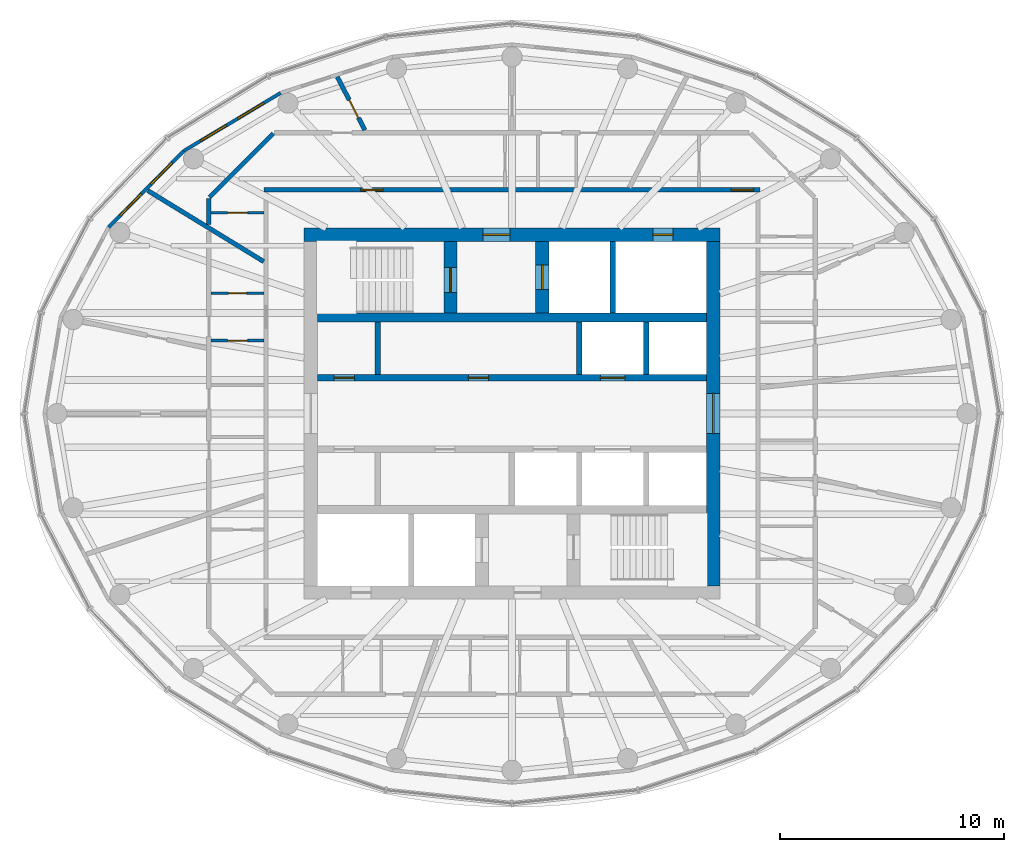
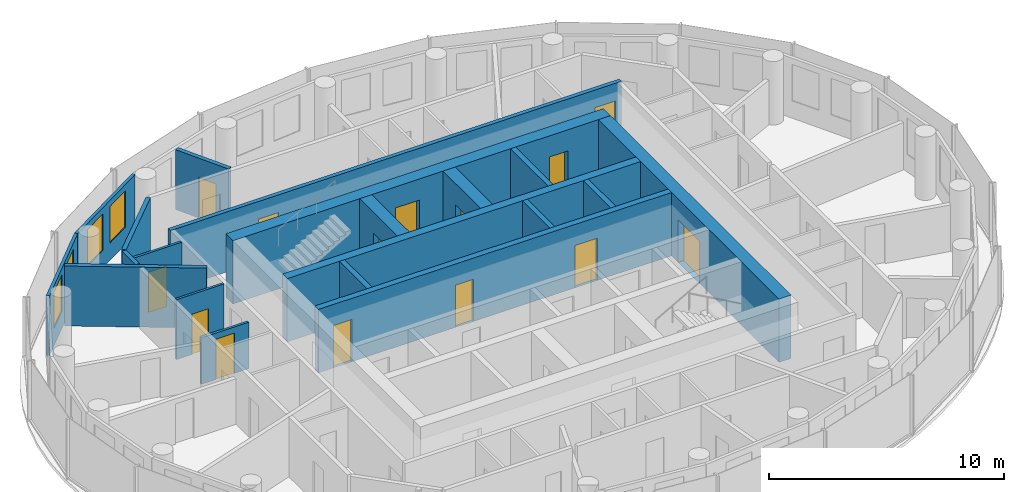
# One storey, part 7 of 11: 20 walls, 14 doors, 4 windows, 18 openings.
"""IFC4 building model written with IfcOpenShell, lengths in metres."""

from ifc_helpers import new_model, si_unit, direction, frame, frame_2d, origin, place, context, subcontext, project, spatial, rectangle, extrude, material, layer, layer_set, type_object, element, fill, save


model = new_model("IFC4")

# Units and contexts
model_context = context("Model", 3, precision=1e-05, world=origin(), true_north=direction((0.0, 1.0)))
body_context = subcontext(model_context, "Body", "Model", "MODEL_VIEW")
ifc_project = project(units=[si_unit("LENGTHUNIT", "METRE"), si_unit("AREAUNIT", "SQUARE_METRE"), si_unit("VOLUMEUNIT", "CUBIC_METRE"), si_unit("PLANEANGLEUNIT", "RADIAN"), si_unit("MASSUNIT", "GRAM", prefix="KILO")], contexts=[model_context])

# Site, building, storey
site_placement = place(None, origin())
site = spatial("IfcSite", under=ifc_project, at=site_placement, CompositionType="ELEMENT")
building_placement = place(site_placement, origin())
building = spatial("IfcBuilding", under=site, at=building_placement, Name="Hankou Lantern Tower", CompositionType="ELEMENT")
storey_placement = place(building_placement, frame((0.0, 0.0, 206.10009765625)))
storey = spatial("IfcBuildingStorey", under=building, at=storey_placement, Name="L55", CompositionType="ELEMENT", Elevation=206.10009765625)

# Wall, openings, doors
ifc_material_1 = material(Name="Concrete C60", Category="concrete")
ifc_layer_1 = layer(ifc_material_1, 0.60009765625)
ifc_layer_set_1 = layer_set([ifc_layer_1], Name="Concrete C60")
wall_type_1 = type_object("IfcWallType", Name="CW3 CORE WALL 600", PredefinedType="SHEAR", material=ifc_layer_set_1)
wall_1_placement = place(storey_placement, frame((-9.300048828125, 8.0, 0.0), z_axis=(0.0, 0.0, 1.0), x_axis=(1.0, 0.0, 0.0)))
wall_1 = element("IfcWall", 1, at=wall_1_placement, inside=storey, type_object=wall_type_1, Name="Core wall north L55", PredefinedType="SHEAR", context=body_context, shape_type="SweptSolid", body=[
    extrude(rectangle(XDim=18.60009765625, YDim=0.60009765625, at=frame_2d((9.300048828125, 0.0))), origin(), (0.0, 0.0, 1.0), 3.2998046875),
])
opening_1_placement = place(wall_1_placement, frame((8.0, 0.0, 0.0)))
opening_1 = element("IfcOpeningElement", 2, at=opening_1_placement, cuts=wall_1, Name="Opening D5", PredefinedType="OPENING", context=body_context, shape_type="SweptSolid", body=[
    extrude(rectangle(XDim=1.199951171875, YDim=2.199951171875, at=frame_2d((0.60009765625, 1.10009765625))), frame((0.0, 0.31005859375, 0.0), z_axis=(0.0, -1.0, 0.0), x_axis=(1.0, 0.0, 0.0)), (0.0, 0.0, 1.0), 0.6201171875),
])
opening_2_placement = place(wall_1_placement, frame((15.60009765625, 0.0, 0.0)))
opening_2 = element("IfcOpeningElement", 3, at=opening_2_placement, cuts=wall_1, Name="Opening D7", PredefinedType="OPENING", context=body_context, shape_type="SweptSolid", body=[
    extrude(rectangle(XDim=0.89990234375, YDim=2.199951171875, at=frame_2d((0.449951171875, 1.10009765625))), frame((0.0, 0.31005859375, 0.0), z_axis=(0.0, -1.0, 0.0), x_axis=(1.0, 0.0, 0.0)), (0.0, 0.0, 1.0), 0.6201171875),
])
ifc_material_2 = material(Name="Steel door leaf", Category="steel")
door_type_1 = type_object("IfcDoorType", Name="D5 STAIR LOBBY DOOR 1200X2200", OperationType="SINGLE_SWING_LEFT", PredefinedType="DOOR", material=ifc_material_2)
door_1_placement = place(opening_1_placement, origin())
door_1 = element("IfcDoor", 4, at=door_1_placement, inside=storey, type_object=door_type_1, Name="Stair A lobby door", OperationType="SINGLE_SWING_LEFT", OverallHeight=2.199951171875, OverallWidth=1.199951171875, PredefinedType="DOOR", context=body_context, shape_type="SweptSolid", body=[
    extrude(rectangle(XDim=1.199951171875, YDim=2.199951171875, at=frame_2d((0.60009765625, 1.10009765625))), frame((0.0, 0.02490234375, 0.0), z_axis=(0.0, -1.0, 0.0), x_axis=(1.0, 0.0, 0.0)), (0.0, 0.0, 1.0), 0.050048828125),
])
fill(opening_1, door_1)
ifc_material_3 = material(Name="Steel door leaf", Category="steel")
door_type_2 = type_object("IfcDoorType", Name="D7 RISER DOOR 900X2200", OperationType="SINGLE_SWING_LEFT", PredefinedType="DOOR", material=ifc_material_3)
door_2_placement = place(opening_2_placement, origin())
door_2 = element("IfcDoor", 5, at=door_2_placement, inside=storey, type_object=door_type_2, Name="Riser N1 door", OperationType="SINGLE_SWING_RIGHT", OverallHeight=2.199951171875, OverallWidth=0.89990234375, PredefinedType="DOOR", context=body_context, shape_type="SweptSolid", body=[
    extrude(rectangle(XDim=0.89990234375, YDim=2.199951171875, at=frame_2d((0.449951171875, 1.10009765625))), frame((0.0, 0.02490234375, 0.0), z_axis=(0.0, -1.0, 0.0), x_axis=(1.0, 0.0, 0.0)), (0.0, 0.0, 1.0), 0.050048828125),
])
fill(opening_2, door_2)

# Wall, opening, door
wall_2_placement = place(storey_placement, frame((9.0, -7.699951171875, 0.0), z_axis=(0.0, 0.0, 1.0), x_axis=(0.0, 1.0, 0.0)))
wall_2 = element("IfcWall", 6, at=wall_2_placement, inside=storey, type_object=wall_type_1, Name="Core wall east L55", PredefinedType="SHEAR", context=body_context, shape_type="SweptSolid", body=[
    extrude(rectangle(XDim=15.39990234375, YDim=0.60009765625, at=frame_2d((7.699951171875, 0.0))), origin(), (0.0, 0.0, 1.0), 3.2998046875),
])
opening_3_placement = place(wall_2_placement, frame((6.800048828125, 0.0, 0.0)))
opening_3 = element("IfcOpeningElement", 7, at=opening_3_placement, cuts=wall_2, Name="Opening D6", PredefinedType="OPENING", context=body_context, shape_type="SweptSolid", body=[
    extrude(rectangle(XDim=1.800048828125, YDim=2.199951171875, at=frame_2d((0.89990234375, 1.10009765625))), frame((0.0, 0.31005859375, 0.0), z_axis=(0.0, -1.0, 0.0), x_axis=(1.0, 0.0, 0.0)), (0.0, 0.0, 1.0), 0.6201171875),
])
ifc_material_4 = material(Name="Steel door leaf", Category="steel")
door_type_3 = type_object("IfcDoorType", Name="D6 LIFT LOBBY DOOR 1800X2200", OperationType="DOUBLE_DOOR_DOUBLE_SWING", PredefinedType="DOOR", material=ifc_material_4)
door_3_placement = place(opening_3_placement, origin())
door_3 = element("IfcDoor", 8, at=door_3_placement, inside=storey, type_object=door_type_3, Name="Lift lobby east door", OperationType="DOUBLE_DOOR_DOUBLE_SWING", OverallHeight=2.199951171875, OverallWidth=1.800048828125, PredefinedType="DOOR", context=body_context, shape_type="SweptSolid", body=[
    extrude(rectangle(XDim=1.800048828125, YDim=2.199951171875, at=frame_2d((0.89990234375, 1.10009765625))), frame((0.0, 0.02490234375, 0.0), z_axis=(0.0, -1.0, 0.0), x_axis=(1.0, 0.0, 0.0)), (0.0, 0.0, 1.0), 0.050048828125),
])
fill(opening_3, door_3)

# Wall
ifc_material_5 = material(Name="Concrete C60", Category="concrete")
ifc_layer_2 = layer(ifc_material_5, 0.39990234375)
ifc_layer_set_2 = layer_set([ifc_layer_2], Name="Concrete C60")
wall_type_2 = type_object("IfcWallType", Name="CW4 CORE CROSS WALL 400", PredefinedType="SHEAR", material=ifc_layer_set_2)
wall_3_placement = place(storey_placement, frame((-8.699951171875, 4.300048828125, 0.0), z_axis=(0.0, 0.0, 1.0), x_axis=(1.0, 0.0, 0.0)))
element("IfcWall", 9, at=wall_3_placement, inside=storey, type_object=wall_type_2, Name="Core band wall north L55", PredefinedType="SHEAR", context=body_context, shape_type="SweptSolid", body=[
    extrude(rectangle(XDim=17.39990234375, YDim=0.39990234375, at=frame_2d((8.699951171875, 0.0))), origin(), (0.0, 0.0, 1.0), 3.2998046875),
])

# Wall, openings, doors
ifc_material_6 = material(Name="Concrete C60", Category="concrete")
ifc_layer_3 = layer(ifc_material_6, 0.300048828125)
ifc_layer_set_3 = layer_set([ifc_layer_3], Name="Concrete C60")
wall_type_3 = type_object("IfcWallType", Name="CW5 LIFT LOBBY WALL 300", PredefinedType="SHEAR", material=ifc_layer_set_3)
wall_4_placement = place(storey_placement, frame((-8.699951171875, 1.60009765625, 0.0), z_axis=(0.0, 0.0, 1.0), x_axis=(1.0, 0.0, 0.0)))
wall_4 = element("IfcWall", 10, at=wall_4_placement, inside=storey, type_object=wall_type_3, Name="Lift lobby wall north L55", PredefinedType="SHEAR", context=body_context, shape_type="SweptSolid", body=[
    extrude(rectangle(XDim=17.39990234375, YDim=0.300048828125, at=frame_2d((8.699951171875, 0.0))), origin(), (0.0, 0.0, 1.0), 3.2998046875),
])
opening_4_placement = place(wall_4_placement, frame((12.64990234375, 0.0, 0.0)))
opening_4 = element("IfcOpeningElement", 11, at=opening_4_placement, cuts=wall_4, Name="Opening LD1", PredefinedType="OPENING", context=body_context, shape_type="SweptSolid", body=[
    extrude(rectangle(XDim=1.10009765625, YDim=2.199951171875, at=frame_2d((0.550048828125, 1.10009765625))), frame((0.0, 0.159912109375, 0.0), z_axis=(0.0, -1.0, 0.0), x_axis=(1.0, 0.0, 0.0)), (0.0, 0.0, 1.0), 0.320068359375),
])
opening_5_placement = place(wall_4_placement, frame((0.75, 0.0, 0.0)))
opening_5 = element("IfcOpeningElement", 12, at=opening_5_placement, cuts=wall_4, Name="Opening D30", PredefinedType="OPENING", context=body_context, shape_type="SweptSolid", body=[
    extrude(rectangle(XDim=0.89990234375, YDim=2.199951171875, at=frame_2d((0.449951171875, 1.10009765625))), frame((0.0, 0.159912109375, 0.0), z_axis=(0.0, -1.0, 0.0), x_axis=(1.0, 0.0, 0.0)), (0.0, 0.0, 1.0), 0.320068359375),
])
opening_6_placement = place(wall_4_placement, frame((6.75, 0.0, 0.0)))
opening_6 = element("IfcOpeningElement", 13, at=opening_6_placement, cuts=wall_4, Name="Opening D30", PredefinedType="OPENING", context=body_context, shape_type="SweptSolid", body=[
    extrude(rectangle(XDim=0.89990234375, YDim=2.199951171875, at=frame_2d((0.449951171875, 1.10009765625))), frame((0.0, 0.159912109375, 0.0), z_axis=(0.0, -1.0, 0.0), x_axis=(1.0, 0.0, 0.0)), (0.0, 0.0, 1.0), 0.320068359375),
])
ifc_material_7 = material(Name="Steel door leaf", Category="steel")
door_type_4 = type_object("IfcDoorType", Name="D30 CORE ROOM DOOR 900X2200", OperationType="SINGLE_SWING_LEFT", PredefinedType="DOOR", material=ifc_material_7)
door_4_placement = place(opening_5_placement, origin())
door_4 = element("IfcDoor", 14, at=door_4_placement, inside=storey, type_object=door_type_4, Name="Engineering store door", OperationType="SINGLE_SWING_LEFT", OverallHeight=2.199951171875, OverallWidth=0.89990234375, PredefinedType="DOOR", context=body_context, shape_type="SweptSolid", body=[
    extrude(rectangle(XDim=0.89990234375, YDim=2.199951171875, at=frame_2d((0.449951171875, 1.10009765625))), frame((0.0, 0.02490234375, 0.0), z_axis=(0.0, -1.0, 0.0), x_axis=(1.0, 0.0, 0.0)), (0.0, 0.0, 1.0), 0.050048828125),
])
fill(opening_5, door_4)
door_5_placement = place(opening_6_placement, origin())
door_5 = element("IfcDoor", 15, at=door_5_placement, inside=storey, type_object=door_type_4, Name="Housekeeping and linen store door", OperationType="SINGLE_SWING_LEFT", OverallHeight=2.199951171875, OverallWidth=0.89990234375, PredefinedType="DOOR", context=body_context, shape_type="SweptSolid", body=[
    extrude(rectangle(XDim=0.89990234375, YDim=2.199951171875, at=frame_2d((0.449951171875, 1.10009765625))), frame((0.0, 0.02490234375, 0.0), z_axis=(0.0, -1.0, 0.0), x_axis=(1.0, 0.0, 0.0)), (0.0, 0.0, 1.0), 0.050048828125),
])
fill(opening_6, door_5)
ifc_material_8 = material(Name="Steel door leaf", Category="steel")
door_type_5 = type_object("IfcDoorType", Name="LD1 LIFT LANDING DOOR 1100X2200", OperationType="DOUBLE_DOOR_SLIDING", PredefinedType="DOOR", material=ifc_material_8)
door_6_placement = place(opening_4_placement, origin())
door_6 = element("IfcDoor", 16, at=door_6_placement, inside=storey, type_object=door_type_5, Name="Lift T1 landing door", OperationType="DOUBLE_DOOR_SLIDING", OverallHeight=2.199951171875, OverallWidth=1.10009765625, PredefinedType="DOOR", context=body_context, shape_type="SweptSolid", body=[
    extrude(rectangle(XDim=1.10009765625, YDim=2.199951171875, at=frame_2d((0.550048828125, 1.10009765625))), frame((0.0, 0.02490234375, 0.0), z_axis=(0.0, -1.0, 0.0), x_axis=(1.0, 0.0, 0.0)), (0.0, 0.0, 1.0), 0.050048828125),
])
fill(opening_4, door_6)

# Wall, opening, door
ifc_material_9 = material(Name="Concrete C60", Category="concrete")
ifc_layer_4 = layer(ifc_material_9, 0.60009765625)
ifc_layer_set_4 = layer_set([ifc_layer_4], Name="Concrete C60")
wall_type_4 = type_object("IfcWallType", Name="CW6 STAIR AND SHAFT WALL 600", PredefinedType="SHEAR", material=ifc_layer_set_4)
wall_5_placement = place(storey_placement, frame((-2.75, 4.5, 0.0), z_axis=(0.0, 0.0, 1.0), x_axis=(0.0, 1.0, 0.0)))
wall_5 = element("IfcWall", 17, at=wall_5_placement, inside=storey, type_object=wall_type_4, Name="Stair wall L55", PredefinedType="SHEAR", context=body_context, shape_type="SweptSolid", body=[
    extrude(rectangle(XDim=3.199951171875, YDim=0.60009765625, at=frame_2d((1.60009765625, 0.0))), origin(), (0.0, 0.0, 1.0), 3.2998046875),
])
opening_7_placement = place(wall_5_placement, frame((0.925048828125, 0.0, 0.0)))
opening_7 = element("IfcOpeningElement", 18, at=opening_7_placement, cuts=wall_5, Name="Opening D4", PredefinedType="OPENING", context=body_context, shape_type="SweptSolid", body=[
    extrude(rectangle(XDim=1.10009765625, YDim=2.199951171875, at=frame_2d((0.550048828125, 1.10009765625))), frame((0.0, 0.31005859375, 0.0), z_axis=(0.0, -1.0, 0.0), x_axis=(1.0, 0.0, 0.0)), (0.0, 0.0, 1.0), 0.6201171875),
])
ifc_material_10 = material(Name="Steel door leaf", Category="steel")
door_type_6 = type_object("IfcDoorType", Name="D4 STAIR DOOR 1100X2200", OperationType="SINGLE_SWING_LEFT", PredefinedType="DOOR", material=ifc_material_10)
door_7_placement = place(opening_7_placement, origin())
door_7 = element("IfcDoor", 19, at=door_7_placement, inside=storey, type_object=door_type_6, Name="Stair A door", OperationType="SINGLE_SWING_LEFT", OverallHeight=2.199951171875, OverallWidth=1.10009765625, PredefinedType="DOOR", context=body_context, shape_type="SweptSolid", body=[
    extrude(rectangle(XDim=1.10009765625, YDim=2.199951171875, at=frame_2d((0.550048828125, 1.10009765625))), frame((0.0, 0.02490234375, 0.0), z_axis=(0.0, -1.0, 0.0), x_axis=(1.0, 0.0, 0.0)), (0.0, 0.0, 1.0), 0.050048828125),
])
fill(opening_7, door_7)

wall_6_placement = place(storey_placement, frame((1.35009765625, 4.5, 0.0), z_axis=(0.0, 0.0, 1.0), x_axis=(0.0, 1.0, 0.0)))
wall_6 = element("IfcWall", 20, at=wall_6_placement, inside=storey, type_object=wall_type_4, Name="Firefighting lift shaft wall L55", PredefinedType="SHEAR", context=body_context, shape_type="SweptSolid", body=[
    extrude(rectangle(XDim=3.199951171875, YDim=0.60009765625, at=frame_2d((1.60009765625, 0.0))), origin(), (0.0, 0.0, 1.0), 3.2998046875),
])
opening_8_placement = place(wall_6_placement, frame((1.050048828125, 0.0, 0.0)))
opening_8 = element("IfcOpeningElement", 21, at=opening_8_placement, cuts=wall_6, Name="Opening LD2", PredefinedType="OPENING", context=body_context, shape_type="SweptSolid", body=[
    extrude(rectangle(XDim=1.10009765625, YDim=2.199951171875, at=frame_2d((0.550048828125, 1.10009765625))), frame((0.0, 0.31005859375, 0.0), z_axis=(0.0, -1.0, 0.0), x_axis=(1.0, 0.0, 0.0)), (0.0, 0.0, 1.0), 0.6201171875),
])
ifc_material_11 = material(Name="Steel door leaf", Category="steel")
door_type_7 = type_object("IfcDoorType", Name="LD2 FIREFIGHTING LIFT LANDING DOOR 1100X2200", OperationType="DOUBLE_DOOR_SLIDING", PredefinedType="DOOR", material=ifc_material_11)
door_8_placement = place(opening_8_placement, origin())
door_8 = element("IfcDoor", 22, at=door_8_placement, inside=storey, type_object=door_type_7, Name="Firefighting lift FL1 landing door", OperationType="DOUBLE_DOOR_SLIDING", OverallHeight=2.199951171875, OverallWidth=1.10009765625, PredefinedType="DOOR", context=body_context, shape_type="SweptSolid", body=[
    extrude(rectangle(XDim=1.10009765625, YDim=2.199951171875, at=frame_2d((0.550048828125, 1.10009765625))), frame((0.0, 0.02490234375, 0.0), z_axis=(0.0, -1.0, 0.0), x_axis=(1.0, 0.0, 0.0)), (0.0, 0.0, 1.0), 0.050048828125),
])
fill(opening_8, door_8)

# Wall, openings, windows
ifc_material_12 = material(Name="Aluminium spandrel panel on steel studs", Category="steel")
ifc_layer_5 = layer(ifc_material_12, 0.14990234375)
ifc_layer_set_5 = layer_set([ifc_layer_5], Name="Aluminium spandrel panel on steel studs")
wall_type_5 = type_object("IfcWallType", Name="EW1 INNER SKIN WALL 150", PredefinedType="ELEMENTEDWALL", material=ifc_layer_set_5)
wall_7_placement = place(storey_placement, frame((-10.346435546875, 14.33642578125, 0.0), z_axis=(0.0, 0.0, 1.0), x_axis=(-0.85822150553, -0.513279502265, 0.0)))
wall_7 = element("IfcWall", 23, at=wall_7_placement, inside=storey, type_object=wall_type_5, Name="Inner skin R09-R10 L55", PredefinedType="ELEMENTEDWALL", context=body_context, shape_type="SweptSolid", body=[
    extrude(rectangle(XDim=5.050048828125, YDim=0.14990234375, at=frame_2d((2.52490234375, 0.0))), origin(), (0.0, 0.0, 1.0), 3.119873046875),
])
opening_9_placement = place(wall_7_placement, frame((0.875, 0.0, 0.89990234375)))
opening_9 = element("IfcOpeningElement", 24, at=opening_9_placement, cuts=wall_7, Name="Opening W4", PredefinedType="OPENING", context=body_context, shape_type="SweptSolid", body=[
    extrude(rectangle(XDim=1.35009765625, YDim=1.89990234375, at=frame_2d((0.675048828125, 0.949951171875))), frame((0.0, 0.0849609375, 0.0), z_axis=(0.0, -1.0, 0.0), x_axis=(1.0, 0.0, 0.0)), (0.0, 0.0, 1.0), 0.169921875),
])
opening_10_placement = place(wall_7_placement, frame((2.824951171875, 0.0, 0.89990234375)))
opening_10 = element("IfcOpeningElement", 25, at=opening_10_placement, cuts=wall_7, Name="Opening W4", PredefinedType="OPENING", context=body_context, shape_type="SweptSolid", body=[
    extrude(rectangle(XDim=1.35009765625, YDim=1.89990234375, at=frame_2d((0.675048828125, 0.949951171875))), frame((0.0, 0.0849609375, 0.0), z_axis=(0.0, -1.0, 0.0), x_axis=(1.0, 0.0, 0.0)), (0.0, 0.0, 1.0), 0.169921875),
])
ifc_material_13 = material(Name="Aluminium framed double glazed window", Category="aluminium")
window_type = type_object("IfcWindowType", Name="W4 SUITE WINDOW 1350X1900", PartitioningType="DOUBLE_PANEL_VERTICAL", PredefinedType="WINDOW", material=ifc_material_13)
window_1_placement = place(opening_9_placement, origin())
window_1 = element("IfcWindow", 26, at=window_1_placement, inside=storey, type_object=window_type, Name="Window R09.1 L55", OverallHeight=1.89990234375, OverallWidth=1.35009765625, PartitioningType="SINGLE_PANEL", PredefinedType="WINDOW", context=body_context, shape_type="SweptSolid", body=[
    extrude(rectangle(XDim=1.35009765625, YDim=1.89990234375, at=frame_2d((0.675048828125, 0.949951171875))), frame((0.0, 0.030029296875, 0.0), z_axis=(0.0, -1.0, 0.0), x_axis=(1.0, 0.0, 0.0)), (0.0, 0.0, 1.0), 0.06005859375),
])
fill(opening_9, window_1)
window_2_placement = place(opening_10_placement, origin())
window_2 = element("IfcWindow", 27, at=window_2_placement, inside=storey, type_object=window_type, Name="Window R09.2 L55", OverallHeight=1.89990234375, OverallWidth=1.35009765625, PartitioningType="SINGLE_PANEL", PredefinedType="WINDOW", context=body_context, shape_type="SweptSolid", body=[
    extrude(rectangle(XDim=1.35009765625, YDim=1.89990234375, at=frame_2d((0.675048828125, 0.949951171875))), frame((0.0, 0.030029296875, 0.0), z_axis=(0.0, -1.0, 0.0), x_axis=(1.0, 0.0, 0.0)), (0.0, 0.0, 1.0), 0.06005859375),
])
fill(opening_10, window_2)

wall_8_placement = place(storey_placement, frame((-14.680419921875, 11.744384765625, 0.0), z_axis=(0.0, 0.0, 1.0), x_axis=(-0.701527379618, -0.712642501993, 0.0)))
wall_8 = element("IfcWall", 28, at=wall_8_placement, inside=storey, type_object=wall_type_5, Name="Inner skin R10-R11 L55", PredefinedType="ELEMENTEDWALL", context=body_context, shape_type="SweptSolid", body=[
    extrude(rectangle(XDim=4.788330078125, YDim=0.14990234375, at=frame_2d((2.39404296875, 0.0))), origin(), (0.0, 0.0, 1.0), 3.119873046875),
])
opening_11_placement = place(wall_8_placement, frame((0.744140625, 0.0, 0.89990234375)))
opening_11 = element("IfcOpeningElement", 29, at=opening_11_placement, cuts=wall_8, Name="Opening W4", PredefinedType="OPENING", context=body_context, shape_type="SweptSolid", body=[
    extrude(rectangle(XDim=1.35009765625, YDim=1.89990234375, at=frame_2d((0.675048828125, 0.949951171875))), frame((0.0, 0.0849609375, 0.0), z_axis=(0.0, -1.0, 0.0), x_axis=(1.0, 0.0, 0.0)), (0.0, 0.0, 1.0), 0.169921875),
])
opening_12_placement = place(wall_8_placement, frame((2.694091796875, 0.0, 0.89990234375)))
opening_12 = element("IfcOpeningElement", 30, at=opening_12_placement, cuts=wall_8, Name="Opening W4", PredefinedType="OPENING", context=body_context, shape_type="SweptSolid", body=[
    extrude(rectangle(XDim=1.35009765625, YDim=1.89990234375, at=frame_2d((0.675048828125, 0.949951171875))), frame((0.0, 0.0849609375, 0.0), z_axis=(0.0, -1.0, 0.0), x_axis=(1.0, 0.0, 0.0)), (0.0, 0.0, 1.0), 0.169921875),
])
window_3_placement = place(opening_11_placement, origin())
window_3 = element("IfcWindow", 31, at=window_3_placement, inside=storey, type_object=window_type, Name="Window R10.1 L55", OverallHeight=1.89990234375, OverallWidth=1.35009765625, PartitioningType="SINGLE_PANEL", PredefinedType="WINDOW", context=body_context, shape_type="SweptSolid", body=[
    extrude(rectangle(XDim=1.35009765625, YDim=1.89990234375, at=frame_2d((0.675048828125, 0.949951171875))), frame((0.0, 0.030029296875, 0.0), z_axis=(0.0, -1.0, 0.0), x_axis=(1.0, 0.0, 0.0)), (0.0, 0.0, 1.0), 0.06005859375),
])
fill(opening_11, window_3)
window_4_placement = place(opening_12_placement, origin())
window_4 = element("IfcWindow", 32, at=window_4_placement, inside=storey, type_object=window_type, Name="Window R10.2 L55", OverallHeight=1.89990234375, OverallWidth=1.35009765625, PartitioningType="SINGLE_PANEL", PredefinedType="WINDOW", context=body_context, shape_type="SweptSolid", body=[
    extrude(rectangle(XDim=1.35009765625, YDim=1.89990234375, at=frame_2d((0.675048828125, 0.949951171875))), frame((0.0, 0.030029296875, 0.0), z_axis=(0.0, -1.0, 0.0), x_axis=(1.0, 0.0, 0.0)), (0.0, 0.0, 1.0), 0.06005859375),
])
fill(opening_12, window_4)

# Wall
ifc_material_14 = material(Name="Masonry lightweight concrete block", Category="masonry")
ifc_layer_6 = layer(ifc_material_14, 0.199951171875)
ifc_layer_set_6 = layer_set([ifc_layer_6], Name="Masonry lightweight concrete block")
wall_type_6 = type_object("IfcWallType", Name="IW1 GUEST ROOM PARTY WALL 200", PredefinedType="PARTITIONING", material=ifc_layer_set_6)
wall_9_placement = place(storey_placement, frame((-11.10009765625, 6.79736328125, 0.0), z_axis=(0.0, 0.0, 1.0), x_axis=(-0.852799818179, 0.522237943963, 0.0)))
element("IfcWall", 33, at=wall_9_placement, inside=storey, type_object=wall_type_6, Name="Party wall R10-R11", PredefinedType="PARTITIONING", context=body_context, shape_type="SweptSolid", body=[
    extrude(rectangle(XDim=6.076904296875, YDim=0.199951171875, at=frame_2d((3.03857421875, 0.0))), origin(), (0.0, 0.0, 1.0), 3.119873046875),
])

# Wall, openings, doors
ifc_material_15 = material(Name="Masonry lightweight concrete block", Category="masonry")
ifc_layer_7 = layer(ifc_material_15, 0.199951171875)
ifc_layer_set_7 = layer_set([ifc_layer_7], Name="Masonry lightweight concrete block")
wall_type_7 = type_object("IfcWallType", Name="IW2 CORRIDOR WALL 200", PredefinedType="PARTITIONING", material=ifc_layer_set_7)
wall_10_placement = place(storey_placement, frame((-11.10009765625, 10.0, 0.0), z_axis=(0.0, 0.0, 1.0), x_axis=(1.0, 0.0, 0.0)))
wall_10 = element("IfcWall", 34, at=wall_10_placement, inside=storey, type_object=wall_type_7, Name="Corridor wall north", PredefinedType="PARTITIONING", context=body_context, shape_type="SweptSolid", body=[
    extrude(rectangle(XDim=22.2001953125, YDim=0.199951171875, at=frame_2d((11.10009765625, 0.0))), origin(), (0.0, 0.0, 1.0), 3.119873046875),
])
opening_13_placement = place(wall_10_placement, frame((20.89990234375, 0.0, 0.0)))
opening_13 = element("IfcOpeningElement", 35, at=opening_13_placement, cuts=wall_10, Name="Opening D2", PredefinedType="OPENING", context=body_context, shape_type="SweptSolid", body=[
    extrude(rectangle(XDim=1.0, YDim=2.199951171875, at=frame_2d((0.5, 1.10009765625))), frame((0.0, 0.10986328125, 0.0), z_axis=(0.0, -1.0, 0.0), x_axis=(1.0, 0.0, 0.0)), (0.0, 0.0, 1.0), 0.219970703125),
])
opening_14_placement = place(wall_10_placement, frame((4.328857421875, 0.0, 0.0)))
opening_14 = element("IfcOpeningElement", 36, at=opening_14_placement, cuts=wall_10, Name="Opening D2", PredefinedType="OPENING", context=body_context, shape_type="SweptSolid", body=[
    extrude(rectangle(XDim=1.0, YDim=2.199951171875, at=frame_2d((0.5, 1.10009765625))), frame((0.0, 0.10986328125, 0.0), z_axis=(0.0, -1.0, 0.0), x_axis=(1.0, 0.0, 0.0)), (0.0, 0.0, 1.0), 0.219970703125),
])
ifc_material_16 = material(Name="Steel door leaf", Category="steel")
door_type_8 = type_object("IfcDoorType", Name="D2 SUITE DOOR 1000X2200", OperationType="SINGLE_SWING_LEFT", PredefinedType="DOOR", material=ifc_material_16)
door_9_placement = place(opening_13_placement, origin())
door_9 = element("IfcDoor", 37, at=door_9_placement, inside=storey, type_object=door_type_8, Name="Suite door 5501", OperationType="SINGLE_SWING_LEFT", OverallHeight=2.199951171875, OverallWidth=1.0, PredefinedType="DOOR", context=body_context, shape_type="SweptSolid", body=[
    extrude(rectangle(XDim=1.0, YDim=2.199951171875, at=frame_2d((0.5, 1.10009765625))), frame((0.0, 0.02490234375, 0.0), z_axis=(0.0, -1.0, 0.0), x_axis=(1.0, 0.0, 0.0)), (0.0, 0.0, 1.0), 0.050048828125),
])
fill(opening_13, door_9)
door_10_placement = place(opening_14_placement, origin())
door_10 = element("IfcDoor", 38, at=door_10_placement, inside=storey, type_object=door_type_8, Name="Suite door 5502", OperationType="SINGLE_SWING_RIGHT", OverallHeight=2.199951171875, OverallWidth=1.0, PredefinedType="DOOR", context=body_context, shape_type="SweptSolid", body=[
    extrude(rectangle(XDim=1.0, YDim=2.199951171875, at=frame_2d((0.5, 1.10009765625))), frame((0.0, 0.02490234375, 0.0), z_axis=(0.0, -1.0, 0.0), x_axis=(1.0, 0.0, 0.0)), (0.0, 0.0, 1.0), 0.050048828125),
])
fill(opening_14, door_10)

# Wall, opening, door
ifc_material_17 = material(Name="Masonry lightweight concrete block", Category="masonry")
ifc_layer_8 = layer(ifc_material_17, 0.1201171875)
ifc_layer_set_8 = layer_set([ifc_layer_8], Name="Masonry lightweight concrete block")
wall_type_8 = type_object("IfcWallType", Name="IW3 BATHROOM WALL 120", PredefinedType="PARTITIONING", material=ifc_layer_set_8)
wall_11_placement = place(storey_placement, frame((-11.10009765625, 8.975830078125, 0.0), z_axis=(0.0, 0.0, 1.0), x_axis=(-1.0, 0.0, 0.0)))
wall_11 = element("IfcWall", 39, at=wall_11_placement, inside=storey, type_object=wall_type_8, Name="Box wall 5502 4", PredefinedType="PARTITIONING", context=body_context, shape_type="SweptSolid", body=[
    extrude(rectangle(XDim=2.349853515625, YDim=0.1201171875, at=frame_2d((1.1748046875, 0.0))), origin(), (0.0, 0.0, 1.0), 3.119873046875),
])
opening_15_placement = place(wall_11_placement, frame((0.719970703125, 0.0, 0.0)))
opening_15 = element("IfcOpeningElement", 40, at=opening_15_placement, cuts=wall_11, Name="Opening D27", PredefinedType="OPENING", context=body_context, shape_type="SweptSolid", body=[
    extrude(rectangle(XDim=0.89990234375, YDim=2.10009765625, at=frame_2d((0.449951171875, 1.050048828125))), frame((0.0, 0.070068359375, 0.0), z_axis=(0.0, -1.0, 0.0), x_axis=(1.0, 0.0, 0.0)), (0.0, 0.0, 1.0), 0.14013671875),
])
ifc_material_18 = material(Name="Timber door leaf", Category="wood")
door_type_9 = type_object("IfcDoorType", Name="D27 INTERNAL DOOR 900X2100", OperationType="SINGLE_SWING_LEFT", PredefinedType="DOOR", material=ifc_material_18)
door_11_placement = place(opening_15_placement, origin())
door_11 = element("IfcDoor", 41, at=door_11_placement, inside=storey, type_object=door_type_9, Name="Corner suite 5502 pantry door", OperationType="SINGLE_SWING_LEFT", OverallHeight=2.10009765625, OverallWidth=0.89990234375, PredefinedType="DOOR", context=body_context, shape_type="SweptSolid", body=[
    extrude(rectangle(XDim=0.89990234375, YDim=2.10009765625, at=frame_2d((0.449951171875, 1.050048828125))), frame((0.0, 0.02490234375, 0.0), z_axis=(0.0, -1.0, 0.0), x_axis=(1.0, 0.0, 0.0)), (0.0, 0.0, 1.0), 0.050048828125),
])
fill(opening_15, door_11)

wall_12_placement = place(storey_placement, frame((-11.10009765625, 5.38525390625, 0.0), z_axis=(0.0, 0.0, 1.0), x_axis=(-1.0, 0.0, 0.0)))
wall_12 = element("IfcWall", 42, at=wall_12_placement, inside=storey, type_object=wall_type_8, Name="Box wall 5503 1", PredefinedType="PARTITIONING", context=body_context, shape_type="SweptSolid", body=[
    extrude(rectangle(XDim=2.349853515625, YDim=0.1201171875, at=frame_2d((1.1748046875, 0.0))), origin(), (0.0, 0.0, 1.0), 3.119873046875),
])
opening_16_placement = place(wall_12_placement, frame((0.77001953125, 0.0, 0.0)))
opening_16 = element("IfcOpeningElement", 43, at=opening_16_placement, cuts=wall_12, Name="Opening D3", PredefinedType="OPENING", context=body_context, shape_type="SweptSolid", body=[
    extrude(rectangle(XDim=0.800048828125, YDim=2.10009765625, at=frame_2d((0.39990234375, 1.050048828125))), frame((0.0, 0.070068359375, 0.0), z_axis=(0.0, -1.0, 0.0), x_axis=(1.0, 0.0, 0.0)), (0.0, 0.0, 1.0), 0.14013671875),
])
ifc_material_19 = material(Name="Timber door leaf", Category="wood")
door_type_10 = type_object("IfcDoorType", Name="D3 BATHROOM DOOR 800X2100", OperationType="SINGLE_SWING_LEFT", PredefinedType="DOOR", material=ifc_material_19)
door_12_placement = place(opening_16_placement, origin())
door_12 = element("IfcDoor", 44, at=door_12_placement, inside=storey, type_object=door_type_10, Name="Corner suite 5503 guest WC door", OperationType="SINGLE_SWING_LEFT", OverallHeight=2.10009765625, OverallWidth=0.800048828125, PredefinedType="DOOR", context=body_context, shape_type="SweptSolid", body=[
    extrude(rectangle(XDim=0.800048828125, YDim=2.10009765625, at=frame_2d((0.39990234375, 1.050048828125))), frame((0.0, 0.02490234375, 0.0), z_axis=(0.0, -1.0, 0.0), x_axis=(1.0, 0.0, 0.0)), (0.0, 0.0, 1.0), 0.050048828125),
])
fill(opening_16, door_12)

wall_13_placement = place(storey_placement, frame((-11.10009765625, 3.265380859375, 0.0), z_axis=(0.0, 0.0, 1.0), x_axis=(-1.0, 0.0, 0.0)))
wall_13 = element("IfcWall", 45, at=wall_13_placement, inside=storey, type_object=wall_type_8, Name="Box wall 5503 2", PredefinedType="PARTITIONING", context=body_context, shape_type="SweptSolid", body=[
    extrude(rectangle(XDim=2.349853515625, YDim=0.1201171875, at=frame_2d((1.1748046875, 0.0))), origin(), (0.0, 0.0, 1.0), 2.419921875),
])
opening_17_placement = place(wall_13_placement, frame((0.719970703125, 0.0, 0.0)))
opening_17 = element("IfcOpeningElement", 46, at=opening_17_placement, cuts=wall_13, Name="Opening D27", PredefinedType="OPENING", context=body_context, shape_type="SweptSolid", body=[
    extrude(rectangle(XDim=0.89990234375, YDim=2.10009765625, at=frame_2d((0.449951171875, 1.050048828125))), frame((0.0, 0.070068359375, 0.0), z_axis=(0.0, -1.0, 0.0), x_axis=(1.0, 0.0, 0.0)), (0.0, 0.0, 1.0), 0.14013671875),
])
door_13_placement = place(opening_17_placement, origin())
door_13 = element("IfcDoor", 47, at=door_13_placement, inside=storey, type_object=door_type_9, Name="Corner suite 5503 walk-in wardrobe door", OperationType="SINGLE_SWING_LEFT", OverallHeight=2.10009765625, OverallWidth=0.89990234375, PredefinedType="DOOR", context=body_context, shape_type="SweptSolid", body=[
    extrude(rectangle(XDim=0.89990234375, YDim=2.10009765625, at=frame_2d((0.449951171875, 1.050048828125))), frame((0.0, 0.02490234375, 0.0), z_axis=(0.0, -1.0, 0.0), x_axis=(1.0, 0.0, 0.0)), (0.0, 0.0, 1.0), 0.050048828125),
])
fill(opening_17, door_13)

# Walls
ifc_material_20 = material(Name="Masonry lightweight concrete block", Category="masonry")
ifc_layer_9 = layer(ifc_material_20, 0.199951171875)
ifc_layer_set_9 = layer_set([ifc_layer_9], Name="Masonry lightweight concrete block")
wall_type_9 = type_object("IfcWallType", Name="IW6 SUITE PARTITION 200", PredefinedType="PARTITIONING", material=ifc_layer_set_9)
wall_14_placement = place(storey_placement, frame((-10.67919921875, 12.520751953125, 0.0), z_axis=(0.0, 0.0, 1.0), x_axis=(-0.707106781187, -0.707106781187, 0.0)))
element("IfcWall", 48, at=wall_14_placement, inside=storey, type_object=wall_type_9, Name="Suite foyer wall 5502", PredefinedType="PARTITIONING", context=body_context, shape_type="SweptSolid", body=[
    extrude(rectangle(XDim=4.0185546875, YDim=0.199951171875, at=frame_2d((2.00927734375, 0.0))), origin(), (0.0, 0.0, 1.0), 3.119873046875),
])
wall_15_placement = place(storey_placement, frame((-13.550048828125, 9.608642578125, 0.0), z_axis=(0.0, 0.0, 1.0), x_axis=(0.0, -1.0, 0.0)))
element("IfcWall", 49, at=wall_15_placement, inside=storey, type_object=wall_type_9, Name="Suite foyer wall 5502", PredefinedType="PARTITIONING", context=body_context, shape_type="SweptSolid", body=[
    extrude(rectangle(XDim=1.152587890625, YDim=0.199951171875, at=frame_2d((0.576171875, 0.0))), origin(), (0.0, 0.0, 1.0), 3.119873046875),
])

# Wall, opening, door
wall_16_placement = place(storey_placement, frame((-6.578125, 12.676513671875, 0.0), z_axis=(0.0, 0.0, 1.0), x_axis=(-0.460620531465, 0.887597164255, 0.0)))
wall_16 = element("IfcWall", 50, at=wall_16_placement, inside=storey, type_object=wall_type_9, Name="Suite partition R08-R09", PredefinedType="PARTITIONING", context=body_context, shape_type="SweptSolid", body=[
    extrude(rectangle(XDim=2.677734375, YDim=0.199951171875, at=frame_2d((1.3388671875, 0.0))), origin(), (0.0, 0.0, 1.0), 3.119873046875),
])
opening_18_placement = place(wall_16_placement, frame((0.6201171875, 0.0, 0.0)))
opening_18 = element("IfcOpeningElement", 51, at=opening_18_placement, cuts=wall_16, Name="Opening D27", PredefinedType="OPENING", context=body_context, shape_type="SweptSolid", body=[
    extrude(rectangle(XDim=0.89990234375, YDim=2.10009765625, at=frame_2d((0.449951171875, 1.050048828125))), frame((0.0, 0.10986328125, 0.0), z_axis=(0.0, -1.0, 0.0), x_axis=(1.0, 0.0, 0.0)), (0.0, 0.0, 1.0), 0.219970703125),
])
door_14_placement = place(opening_18_placement, origin())
door_14 = element("IfcDoor", 52, at=door_14_placement, inside=storey, type_object=door_type_9, Name="Corner suite 5502 dining room door", OperationType="SINGLE_SWING_LEFT", OverallHeight=2.10009765625, OverallWidth=0.89990234375, PredefinedType="DOOR", context=body_context, shape_type="SweptSolid", body=[
    extrude(rectangle(XDim=0.89990234375, YDim=2.10009765625, at=frame_2d((0.449951171875, 1.050048828125))), frame((0.0, 0.02490234375, 0.0), z_axis=(0.0, -1.0, 0.0), x_axis=(1.0, 0.0, 0.0)), (0.0, 0.0, 1.0), 0.050048828125),
])
fill(opening_18, door_14)

# Walls
ifc_material_21 = material(Name="Masonry autoclaved aerated concrete block", Category="masonry")
ifc_layer_10 = layer(ifc_material_21, 0.25)
ifc_layer_set_10 = layer_set([ifc_layer_10], Name="Masonry autoclaved aerated concrete block")
wall_type_10 = type_object("IfcWallType", Name="SW1 SHAFT BLOCK WALL 250", PredefinedType="PARTITIONING", material=ifc_layer_set_10)
wall_17_placement = place(storey_placement, frame((4.5, 4.5, 0.0), z_axis=(0.0, 0.0, 1.0), x_axis=(0.0, 1.0, 0.0)))
element("IfcWall", 53, at=wall_17_placement, inside=storey, type_object=wall_type_10, Name="Riser wall L55", PredefinedType="PARTITIONING", context=body_context, shape_type="SweptSolid", body=[
    extrude(rectangle(XDim=3.199951171875, YDim=0.25, at=frame_2d((1.60009765625, 0.0))), origin(), (0.0, 0.0, 1.0), 3.2998046875),
])
for number, where, z_axis, x_axis, name in (
    (54, (-6.0, 1.75, 0.0), (0.0, 0.0, 1.0), (0.0, 1.0, 0.0), "Lift shaft wall L55"),
    (55, (3.0, 1.75, 0.0), (0.0, 0.0, 1.0), (0.0, 1.0, 0.0), "Lift shaft wall L55"),
    (56, (6.0, 1.75, 0.0), (0.0, 0.0, 1.0), (0.0, 1.0, 0.0), "Lift shaft wall L55"),
):
    element("IfcWall", number, at=place(storey_placement, frame(where, z_axis=z_axis, x_axis=x_axis)), inside=storey, type_object=wall_type_10, Name=name, PredefinedType="PARTITIONING", context=body_context, shape_type="SweptSolid", body=[
        extrude(rectangle(XDim=2.35009765625, YDim=0.25, at=frame_2d((1.175048828125, 0.0))), origin(), (0.0, 0.0, 1.0), 3.2998046875),
    ])

save(model, "model.ifc")
